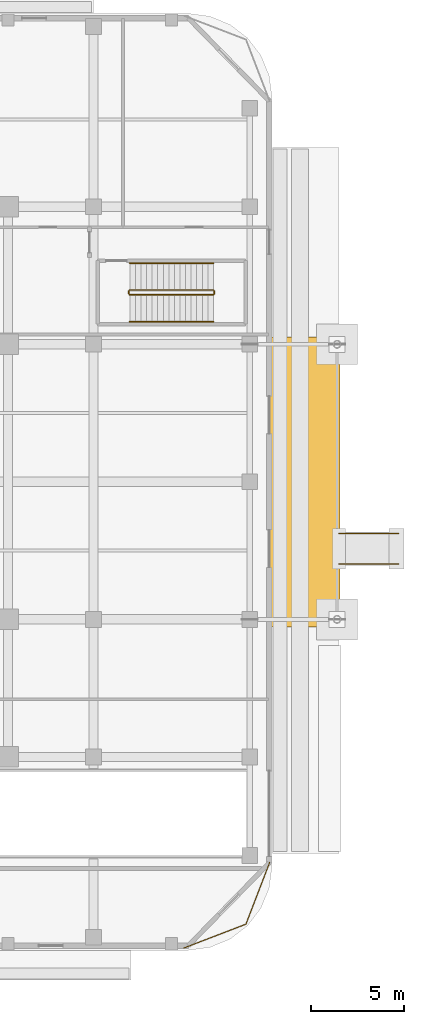
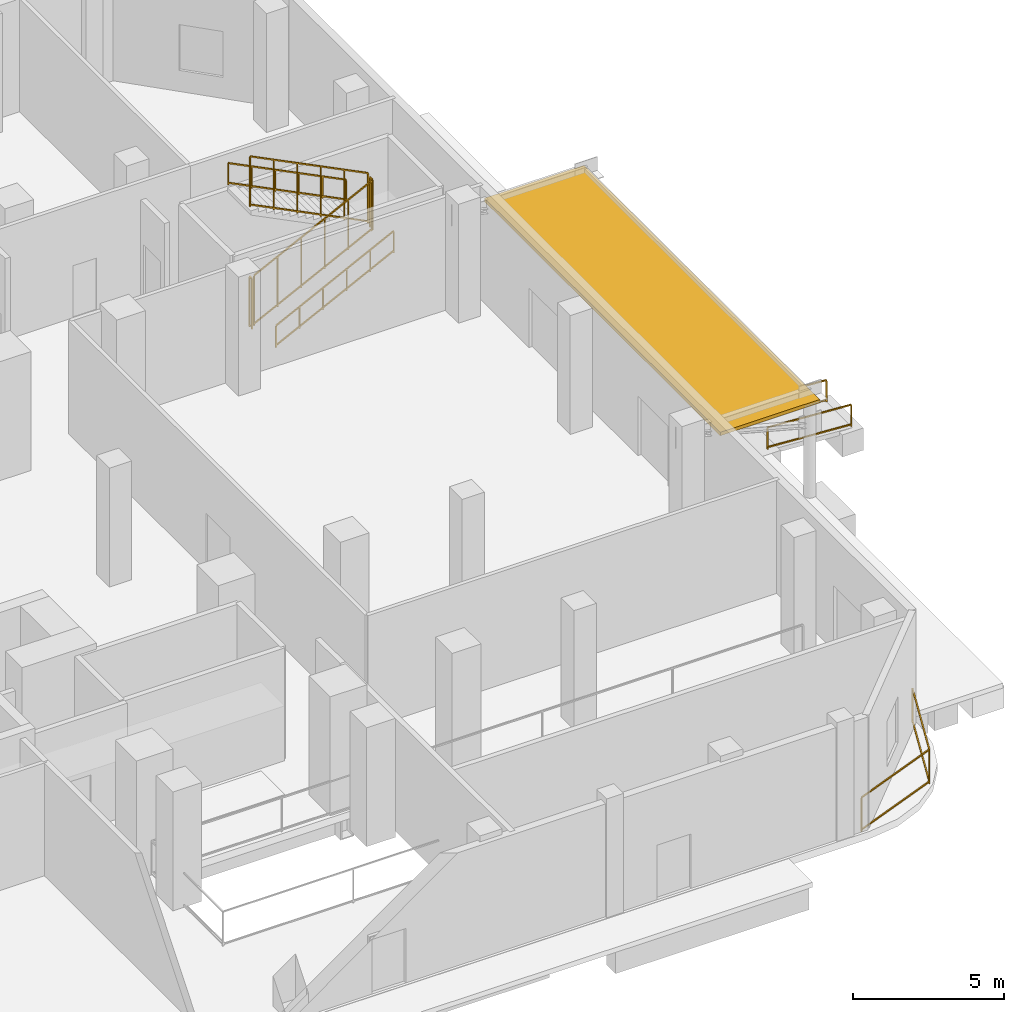
# One storey, part 22 of 24: 9 railings, 1 shading device.
"""IFC4 building model written with IfcOpenShell, lengths in metres."""

import ifcopenshell
import ifcopenshell.guid

model = None  # the IFC model being written
_history = None  # IfcOwnerHistory: only IFC2X3 demands one
_inside = {}  # id of a spatial element -> (the spatial element, [elements in it])
_under = {}  # id of a project, library or spatial element -> (it, [spatial elements below it])
_declared = {}  # id of a project -> (the project, [libraries it declares])
_typed = {}  # id of a type object -> (the type object, [elements of that type])
_made_of = {}  # id of a material, layer set ... -> (it, [elements and type objects made of it])


def new_model(schema):
    """Start an empty IFC model of exactly this schema.

    Asked for "IFC4X3", IfcOpenShell would pick the latest addendum, in which some entities
    have other attributes; the version numbers below select the first issue.
    IFC2X3 requires an IfcOwnerHistory on every rooted entity: one is made here for all.
    """
    global model, _history
    if schema == "IFC4X3":
        model = ifcopenshell.file(schema_version=(4, 3, 0, 0))
    else:
        model = ifcopenshell.file(schema=schema)
    _inside.clear()
    _under.clear()
    _declared.clear()
    _typed.clear()
    _made_of.clear()
    _history = None
    if model.schema == "IFC2X3":
        org = make("IfcOrganization", Name="unknown")
        user = make(
            "IfcPersonAndOrganization",
            ThePerson=make("IfcPerson", FamilyName="unknown"),
            TheOrganization=org,
        )
        app = make(
            "IfcApplication",
            ApplicationDeveloper=org,
            Version="unknown",
            ApplicationFullName="unknown",
            ApplicationIdentifier="unknown",
        )
        _history = make(
            "IfcOwnerHistory",
            OwningUser=user,
            OwningApplication=app,
            ChangeAction="ADDED",
            CreationDate=0,
        )
    return model


def make(cls, **values):
    """One entity of the class cls with the attributes given. An attribute that is None is left unset."""
    return model.create_entity(
        cls, **{name: value for name, value in values.items() if value is not None}
    )


def rooted(cls, **values):
    """An entity with a GlobalId (a new one), such as an element, a storey or a relation."""
    return make(cls, GlobalId=ifcopenshell.guid.new(), OwnerHistory=_history, **values)


def si_unit(unit_type, name, prefix=None):
    """IfcSIUnit, for example si_unit("LENGTHUNIT", "METRE", prefix="MILLI")."""
    return make("IfcSIUnit", UnitType=unit_type, Prefix=prefix, Name=name)


def assignment(units):
    """IfcUnitAssignment: the units of a project."""
    return None if units is None else make("IfcUnitAssignment", Units=units)


def point(xyz):
    """IfcCartesianPoint."""
    return None if xyz is None else make("IfcCartesianPoint", Coordinates=xyz)


def direction(xyz):
    """IfcDirection."""
    return None if xyz is None else make("IfcDirection", DirectionRatios=xyz)


def frame(location, z_axis=None, x_axis=None):
    """IfcAxis2Placement3D, a coordinate frame: its origin and axes. An axis left out is left unset."""
    return make(
        "IfcAxis2Placement3D",
        Location=point(location),
        Axis=direction(z_axis),
        RefDirection=direction(x_axis),
    )


def frame_2d(location, x_axis=None):
    """IfcAxis2Placement2D, a coordinate frame in the plane: its origin and x axis."""
    return make(
        "IfcAxis2Placement2D", Location=point(location), RefDirection=direction(x_axis)
    )


def origin():
    """The frame at (0, 0, 0) with its axes left unset."""
    return frame((0.0, 0.0, 0.0))


def origin_2d():
    """The frame at (0, 0) in the plane with its x axis left unset."""
    return frame_2d((0.0, 0.0))


def place(relative_to, where):
    """IfcLocalPlacement: puts the frame where relative to a parent placement (None: the world)."""
    return make(
        "IfcLocalPlacement", PlacementRelTo=relative_to, RelativePlacement=where
    )


def context(
    kind, dimensions, precision=None, world=None, true_north=None, identifier=None
):
    """IfcGeometricRepresentationContext, for example the 3D "Model" context."""
    return make(
        "IfcGeometricRepresentationContext",
        ContextIdentifier=identifier,
        ContextType=kind,
        CoordinateSpaceDimension=dimensions,
        Precision=precision,
        WorldCoordinateSystem=world,
        TrueNorth=true_north,
    )


def subcontext(parent, identifier, kind, view, scale=None):
    """IfcGeometricRepresentationSubContext, for example "Body" below "Model"."""
    return make(
        "IfcGeometricRepresentationSubContext",
        ContextIdentifier=identifier,
        ContextType=kind,
        ParentContext=parent,
        TargetScale=scale,
        TargetView=view,
    )


def project(units=None, contexts=None):
    """IfcProject with its units and contexts."""
    return rooted(
        "IfcProject",
        Name="project",
        RepresentationContexts=contexts,
        UnitsInContext=assignment(units),
    )


def spatial(cls, under=None, at=None, **own):
    """A site, building, storey or space (cls), placed at a placement, below another one or the project."""
    s = rooted(cls, ObjectPlacement=at, **own)
    if under is not None:
        _under.setdefault(under.id(), (under, []))[1].append(s)
    return s


def profile(cls, at=None, kind="AREA", **sizes):
    """A parametric profile (cls). Its sizes go by their IFC names, for example OverallWidth=200.0."""
    return make(cls, ProfileType=kind, Position=at, **sizes)


def rectangle(**sizes):
    """IfcRectangleProfileDef."""
    return profile("IfcRectangleProfileDef", **sizes)


def extrude(swept, where, along, depth):
    """IfcExtrudedAreaSolid: the profile swept, set in the frame where, extruded along a direction by depth."""
    return make(
        "IfcExtrudedAreaSolid",
        SweptArea=swept,
        Position=where,
        ExtrudedDirection=direction(along),
        Depth=depth,
    )


def shape(context_of_items, identifier, shape_type, items):
    """IfcShapeRepresentation: the items that make up one representation, for example the "Body"."""
    return make(
        "IfcShapeRepresentation",
        ContextOfItems=context_of_items,
        RepresentationIdentifier=identifier,
        RepresentationType=shape_type,
        Items=items,
    )


def material(Name=None, Category=None):
    """IfcMaterial."""
    return make("IfcMaterial", Name=Name, Category=Category)


def layer(
    of_material, thickness, ventilated=None, Name=None, Category=None, Priority=None
):
    """IfcMaterialLayer: one layer of a wall or slab, of a material (None: an air gap)."""
    return make(
        "IfcMaterialLayer",
        Material=of_material,
        LayerThickness=thickness,
        IsVentilated=ventilated,
        Name=Name,
        Category=Category,
        Priority=Priority,
    )


def layer_set(layers, Name=None):
    """IfcMaterialLayerSet."""
    return make("IfcMaterialLayerSet", MaterialLayers=layers, LayerSetName=Name)


def made_of(thing, what):
    """Note that an element or type object is made of a material, layer set ...; save() writes the relation."""
    if what is not None:
        _made_of.setdefault(what.id(), (what, []))[1].append(thing)
    return thing


def type_object(cls, material=None, **own):
    """A type object (cls), such as IfcWallType, which elements share."""
    return made_of(rooted(cls, **own), material)


def element(
    cls,
    number,
    at=None,
    inside=None,
    cuts=None,
    type_object=None,
    material=None,
    context=None,
    identifier="Body",
    shape_type=None,
    held_by="IfcProductDefinitionShape",
    body=None,
    shapes=None,
    **own,
):
    """One element of the class cls, such as IfcWall. Its Tag is "e" and its number.

    at: its placement. inside: the storey or other place that contains it. cuts: it is an
    opening in that element (IfcRelVoidsElement). A single representation is given by context,
    identifier, shape_type and body (its items); several are given by shapes. held_by: the class
    of the entity that holds the representations. save() writes the other relations.
    """
    e = rooted(cls, Tag="e%d" % number, ObjectPlacement=at, **own)
    if body is not None:
        shapes = [shape(context, identifier, shape_type, body)]
    if shapes is not None:
        e.Representation = make(held_by, Representations=shapes)
    if inside is not None:
        _inside.setdefault(inside.id(), (inside, []))[1].append(e)
    if cuts is not None:
        rooted(
            "IfcRelVoidsElement", RelatingBuildingElement=cuts, RelatedOpeningElement=e
        )
    if type_object is not None:
        _typed.setdefault(type_object.id(), (type_object, []))[1].append(e)
    return made_of(e, material)


def aggregate(whole, parts):
    """IfcRelAggregates: a whole, such as a stair, and the parts it consists of."""
    return rooted("IfcRelAggregates", RelatingObject=whole, RelatedObjects=parts)


def save(model, path):
    """Write the relations noted so far, then the file.

    IfcRelAggregates (storeys below a building ...), IfcRelContainedInSpatialStructure (elements
    in a storey), IfcRelDefinesByType, IfcRelAssociatesMaterial and IfcRelDeclares: one each for
    every whole, place, type object, material and project.
    """
    for whole, parts in _under.values():
        aggregate(whole, parts)
    for where, things in _inside.values():
        rooted(
            "IfcRelContainedInSpatialStructure",
            RelatedElements=things,
            RelatingStructure=where,
        )
    for kind, things in _typed.values():
        rooted("IfcRelDefinesByType", RelatedObjects=things, RelatingType=kind)
    for what, things in _made_of.values():
        rooted("IfcRelAssociatesMaterial", RelatedObjects=things, RelatingMaterial=what)
    for by, libraries in _declared.values():
        rooted("IfcRelDeclares", RelatingContext=by, RelatedDefinitions=libraries)
    model.write(path)


model = new_model("IFC4")

# Units and contexts
model_context = context("Model", 3, precision=1e-05, world=origin(), true_north=direction((0.0, 1.0)))
body_context = subcontext(model_context, "Body", "Model", "MODEL_VIEW")
ifc_project = project(units=[si_unit("LENGTHUNIT", "METRE"), si_unit("AREAUNIT", "SQUARE_METRE"), si_unit("VOLUMEUNIT", "CUBIC_METRE"), si_unit("PLANEANGLEUNIT", "RADIAN"), si_unit("MASSUNIT", "GRAM", prefix="KILO")], contexts=[model_context])

# Site, building, storey
site_placement = place(None, origin())
site = spatial("IfcSite", under=ifc_project, at=site_placement, CompositionType="ELEMENT")
building_placement = place(site_placement, origin())
building = spatial("IfcBuilding", under=site, at=building_placement, Name="Khorvyn Point Tower", CompositionType="ELEMENT")
storey_placement = place(building_placement, origin())
storey = spatial("IfcBuildingStorey", under=building, at=storey_placement, Name="L01", CompositionType="ELEMENT", Elevation=0.0)

# Shading device
ifc_material_1 = material(Name="Bronze anodised aluminium 6063-T6", Category="aluminium")
ifc_layer = layer(ifc_material_1, 0.139892578125)
ifc_layer_set = layer_set([ifc_layer], Name="Anodised Aluminium Horizontal Monsoon Sunshade Canopy")
shading_device_type = type_object("IfcShadingDeviceType", Name="Anodised Aluminium Horizontal Monsoon Sunshade Canopy", PredefinedType="AWNING", material=ifc_layer_set)
shading_device_placement = place(storey_placement, frame((35.35009765625, 0.0, 3.89990234375), z_axis=(0.0, 0.0, 1.0), x_axis=(1.0, 0.0, 0.0)))
element("IfcShadingDevice", 1, at=shading_device_placement, inside=storey, type_object=shading_device_type, Name="L01 Residential Entrance Monsoon Canopy", PredefinedType="AWNING", context=body_context, shape_type="SweptSolid", body=[
    extrude(rectangle(XDim=3.800048828125, YDim=15.60009765625, at=origin_2d()), origin(), (0.0, 0.0, 1.0), 0.139892578125),
])

# Railings
ifc_material_2 = material(Name="Anodised aluminium 6063-T6 and laminated safety glass", Category="aluminium")
railing_type_1 = type_object("IfcRailingType", Name="Laminated Glass and Aluminium Balcony Guardrail 1400", PredefinedType="BALUSTRADE", material=ifc_material_2)
railing_1_placement = place(storey_placement, frame((28.870849609375, -25.073974609375, 0.0)))
element("IfcRailing", 2, at=railing_1_placement, inside=storey, type_object=railing_type_1, Name="L01 Rounded Corner Edge Guardrail SE", PredefinedType="BALUSTRADE", context=body_context, shape_type="SweptSolid", body=[
    extrude(rectangle(XDim=0.048095703125, YDim=0.048095703125, at=origin_2d()), frame((0.0, 0.0, 1.3759765625), z_axis=(0.933575007025, 0.358382067435, 0.0), x_axis=(-0.358382067435, 0.933575007025, 0.0)), (0.0, 0.0, 1.0), 3.562744140625),
    extrude(rectangle(XDim=0.048095703125, YDim=0.048095703125, at=origin_2d()), frame((0.0, 0.0, 0.080078125), z_axis=(0.933575007025, 0.358382067435, 0.0), x_axis=(-0.358382067435, 0.933575007025, 0.0)), (0.0, 0.0, 1.0), 3.562744140625),
    extrude(rectangle(XDim=0.048095703125, YDim=0.048095703125, at=origin_2d()), frame((3.326171875, 1.27685546875, 1.3759765625), z_axis=(0.35841886047, 0.933560882031, 0.0), x_axis=(-0.933560882031, 0.35841886047, 0.0)), (0.0, 0.0, 1.0), 3.563232421875),
    extrude(rectangle(XDim=0.048095703125, YDim=0.048095703125, at=origin_2d()), frame((3.326171875, 1.27685546875, 0.080078125), z_axis=(0.35841886047, 0.933560882031, 0.0), x_axis=(-0.933560882031, 0.35841886047, 0.0)), (0.0, 0.0, 1.0), 3.563232421875),
    extrude(rectangle(XDim=0.0419921875, YDim=0.0419921875, at=origin_2d()), origin(), (0.0, 0.0, 1.0), 1.351806640625),
    extrude(rectangle(XDim=0.0419921875, YDim=0.0419921875, at=origin_2d()), frame((3.326171875, 1.27685546875, 0.0)), (0.0, 0.0, 1.0), 1.351806640625),
    extrude(rectangle(XDim=0.0419921875, YDim=0.0419921875, at=origin_2d()), frame((4.603271484375, 4.603271484375, 0.0)), (0.0, 0.0, 1.0), 1.351806640625),
])
ifc_material_3 = material(Name="Stainless steel 1.4301", Category="steel")
railing_type_2 = type_object("IfcRailingType", Name="Stainless Steel 304 Stair Pitch Handrail 900", PredefinedType="HANDRAIL", material=ifc_material_3)
railing_2_placement = place(storey_placement, frame((25.949951171875, 8.610107421875, 0.14990234375)))
element("IfcRailing", 3, at=railing_2_placement, inside=storey, type_object=railing_type_2, Name="L01 ST-S3 stair handrail 1", PredefinedType="HANDRAIL", context=body_context, shape_type="SweptSolid", body=[
    extrude(rectangle(XDim=0.048095703125, YDim=0.048095703125, at=origin_2d()), frame((0.0, 0.0, 0.8759765625), z_axis=(0.894427191, 0.0, 0.4472135955), x_axis=(0.0, 1.0, 0.0)), (0.0, 0.0, 1.0), 5.03125),
    extrude(rectangle(XDim=0.048095703125, YDim=0.048095703125, at=origin_2d()), frame((0.0, 0.0, 0.080078125), z_axis=(0.894427191, 0.0, 0.4472135955), x_axis=(0.0, 1.0, 0.0)), (0.0, 0.0, 1.0), 5.03125),
    extrude(rectangle(XDim=0.0419921875, YDim=0.0419921875, at=origin_2d()), origin(), (0.0, 0.0, 1.0), 0.851806640625),
    extrude(rectangle(XDim=0.0419921875, YDim=0.0419921875, at=origin_2d()), frame((0.89990234375, 0.0, 0.449951171875)), (0.0, 0.0, 1.0), 0.851806640625),
    extrude(rectangle(XDim=0.0419921875, YDim=0.0419921875, at=origin_2d()), frame((1.800048828125, 0.0, 0.89990234375)), (0.0, 0.0, 1.0), 0.851806640625),
    extrude(rectangle(XDim=0.0419921875, YDim=0.0419921875, at=origin_2d()), frame((2.699951171875, 0.0, 1.35009765625)), (0.0, 0.0, 1.0), 0.851806640625),
    extrude(rectangle(XDim=0.0419921875, YDim=0.0419921875, at=origin_2d()), frame((3.60009765625, 0.0, 1.800048828125)), (0.0, 0.0, 1.0), 0.851806640625),
    extrude(rectangle(XDim=0.0419921875, YDim=0.0419921875, at=origin_2d()), frame((4.5, 0.0, 2.25)), (0.0, 0.0, 1.0), 0.851806640625),
])
railing_3_placement = place(storey_placement, frame((30.449951171875, 11.77001953125, 2.550048828125)))
element("IfcRailing", 4, at=railing_3_placement, inside=storey, type_object=railing_type_2, Name="L01 ST-S3 stair handrail 2", PredefinedType="HANDRAIL", context=body_context, shape_type="SweptSolid", body=[
    extrude(rectangle(XDim=0.048095703125, YDim=0.048095703125, at=origin_2d()), frame((0.0, 0.0, 0.8759765625), z_axis=(-0.894427191, 0.0, 0.4472135955), x_axis=(0.0, -1.0, 0.0)), (0.0, 0.0, 1.0), 5.03125),
    extrude(rectangle(XDim=0.048095703125, YDim=0.048095703125, at=origin_2d()), frame((0.0, 0.0, 0.080078125), z_axis=(-0.894427191, 0.0, 0.4472135955), x_axis=(0.0, -1.0, 0.0)), (0.0, 0.0, 1.0), 5.03125),
    extrude(rectangle(XDim=0.0419921875, YDim=0.0419921875, at=origin_2d()), origin(), (0.0, 0.0, 1.0), 0.851806640625),
    extrude(rectangle(XDim=0.0419921875, YDim=0.0419921875, at=origin_2d()), frame((-0.89990234375, 0.0, 0.449951171875)), (0.0, 0.0, 1.0), 0.851806640625),
    extrude(rectangle(XDim=0.0419921875, YDim=0.0419921875, at=origin_2d()), frame((-1.800048828125, 0.0, 0.89990234375)), (0.0, 0.0, 1.0), 0.851806640625),
    extrude(rectangle(XDim=0.0419921875, YDim=0.0419921875, at=origin_2d()), frame((-2.699951171875, 0.0, 1.35009765625)), (0.0, 0.0, 1.0), 0.851806640625),
    extrude(rectangle(XDim=0.0419921875, YDim=0.0419921875, at=origin_2d()), frame((-3.60009765625, 0.0, 1.800048828125)), (0.0, 0.0, 1.0), 0.851806640625),
    extrude(rectangle(XDim=0.0419921875, YDim=0.0419921875, at=origin_2d()), frame((-4.5, 0.0, 2.25)), (0.0, 0.0, 1.0), 0.851806640625),
])
for number, where, name in (
    (5, (40.39990234375, -4.419921875, -0.199951171875), "L01 East Residential Lobby Step-Free Threshold Ramp Handrail S"),
    (6, (40.39990234375, -2.780029296875, -0.199951171875), "L01 East Residential Lobby Step-Free Threshold Ramp Handrail N"),
):
    element("IfcRailing", number, at=place(storey_placement, frame(where)), inside=storey, type_object=railing_type_2, Name=name, PredefinedType="HANDRAIL", context=body_context, shape_type="SweptSolid", body=[
        extrude(rectangle(XDim=0.048095703125, YDim=0.048095703125, at=origin_2d()), frame((0.0, 0.0, 0.8759765625), z_axis=(-0.998053467252, 0.0, 0.062364064216), x_axis=(0.0, -1.0, 0.0)), (0.0, 0.0, 1.0), 3.206298828125),
        extrude(rectangle(XDim=0.048095703125, YDim=0.048095703125, at=origin_2d()), frame((0.0, 0.0, 0.080078125), z_axis=(-0.998053467252, 0.0, 0.062364064216), x_axis=(0.0, -1.0, 0.0)), (0.0, 0.0, 1.0), 3.206298828125),
        extrude(rectangle(XDim=0.0419921875, YDim=0.0419921875, at=origin_2d()), origin(), (0.0, 0.0, 1.0), 0.851806640625),
        extrude(rectangle(XDim=0.0419921875, YDim=0.0419921875, at=origin_2d()), frame((-3.199951171875, 0.0, 0.199951171875)), (0.0, 0.0, 1.0), 0.851806640625),
    ])
railing_type_3 = type_object("IfcRailingType", Name="Stainless Steel 304 Stair Well Guardrail 1400", PredefinedType="GUARDRAIL", material=ifc_material_3)
railing_4_placement = place(storey_placement, frame((25.949951171875, 10.06005859375, 0.14990234375)))
element("IfcRailing", 7, at=railing_4_placement, inside=storey, type_object=railing_type_3, Name="L01 ST-S3 stair guard 1", PredefinedType="GUARDRAIL", context=body_context, shape_type="SweptSolid", body=[
    extrude(rectangle(XDim=0.048095703125, YDim=0.048095703125, at=origin_2d()), frame((0.0, 0.0, 2.02587890625), z_axis=(0.894427191, 0.0, 0.4472135955), x_axis=(0.0, 1.0, 0.0)), (0.0, 0.0, 1.0), 5.03125),
    extrude(rectangle(XDim=0.048095703125, YDim=0.048095703125, at=origin_2d()), frame((0.0, 0.0, 0.080078125), z_axis=(0.894427191, 0.0, 0.4472135955), x_axis=(0.0, 1.0, 0.0)), (0.0, 0.0, 1.0), 5.03125),
    extrude(rectangle(XDim=0.0419921875, YDim=0.0419921875, at=origin_2d()), origin(), (0.0, 0.0, 1.0), 2.001953125),
    extrude(rectangle(XDim=0.0419921875, YDim=0.0419921875, at=origin_2d()), frame((0.89990234375, 0.0, 0.449951171875)), (0.0, 0.0, 1.0), 2.001953125),
    extrude(rectangle(XDim=0.0419921875, YDim=0.0419921875, at=origin_2d()), frame((1.800048828125, 0.0, 0.89990234375)), (0.0, 0.0, 1.0), 2.001953125),
    extrude(rectangle(XDim=0.0419921875, YDim=0.0419921875, at=origin_2d()), frame((2.699951171875, 0.0, 1.35009765625)), (0.0, 0.0, 1.0), 2.001953125),
    extrude(rectangle(XDim=0.0419921875, YDim=0.0419921875, at=origin_2d()), frame((3.60009765625, 0.0, 1.800048828125)), (0.0, 0.0, 1.0), 2.001953125),
    extrude(rectangle(XDim=0.0419921875, YDim=0.0419921875, at=origin_2d()), frame((4.5, 0.0, 2.25)), (0.0, 0.0, 1.0), 2.001953125),
])
railing_5_placement = place(storey_placement, frame((30.5, 10.110107421875, 2.39990234375)))
element("IfcRailing", 8, at=railing_5_placement, inside=storey, type_object=railing_type_3, Name="L01 ST-S3 stair guard 2", PredefinedType="GUARDRAIL", context=body_context, shape_type="SweptSolid", body=[
    extrude(rectangle(XDim=0.048095703125, YDim=0.048095703125, at=origin_2d()), frame((0.0, 0.0, 2.02587890625), z_axis=(0.0, 1.0, 0.0), x_axis=(-1.0, 0.0, 0.0)), (0.0, 0.0, 1.0), 0.159912109375),
    extrude(rectangle(XDim=0.048095703125, YDim=0.048095703125, at=origin_2d()), frame((0.0, 0.0, 0.080078125), z_axis=(0.0, 1.0, 0.0), x_axis=(-1.0, 0.0, 0.0)), (0.0, 0.0, 1.0), 0.159912109375),
    extrude(rectangle(XDim=0.0419921875, YDim=0.0419921875, at=origin_2d()), origin(), (0.0, 0.0, 1.0), 2.001953125),
    extrude(rectangle(XDim=0.0419921875, YDim=0.0419921875, at=origin_2d()), frame((0.0, 0.159912109375, 0.0)), (0.0, 0.0, 1.0), 2.001953125),
])
railing_6_placement = place(storey_placement, frame((30.449951171875, 10.320068359375, 2.550048828125)))
element("IfcRailing", 9, at=railing_6_placement, inside=storey, type_object=railing_type_3, Name="L01 ST-S3 stair guard 3", PredefinedType="GUARDRAIL", context=body_context, shape_type="SweptSolid", body=[
    extrude(rectangle(XDim=0.048095703125, YDim=0.048095703125, at=origin_2d()), frame((0.0, 0.0, 2.02587890625), z_axis=(-0.894427191, 0.0, 0.4472135955), x_axis=(0.0, -1.0, 0.0)), (0.0, 0.0, 1.0), 5.03125),
    extrude(rectangle(XDim=0.048095703125, YDim=0.048095703125, at=origin_2d()), frame((0.0, 0.0, 0.080078125), z_axis=(-0.894427191, 0.0, 0.4472135955), x_axis=(0.0, -1.0, 0.0)), (0.0, 0.0, 1.0), 5.03125),
    extrude(rectangle(XDim=0.0419921875, YDim=0.0419921875, at=origin_2d()), origin(), (0.0, 0.0, 1.0), 2.001953125),
    extrude(rectangle(XDim=0.0419921875, YDim=0.0419921875, at=origin_2d()), frame((-0.89990234375, 0.0, 0.449951171875)), (0.0, 0.0, 1.0), 2.001953125),
    extrude(rectangle(XDim=0.0419921875, YDim=0.0419921875, at=origin_2d()), frame((-1.800048828125, 0.0, 0.89990234375)), (0.0, 0.0, 1.0), 2.001953125),
    extrude(rectangle(XDim=0.0419921875, YDim=0.0419921875, at=origin_2d()), frame((-2.699951171875, 0.0, 1.35009765625)), (0.0, 0.0, 1.0), 2.001953125),
    extrude(rectangle(XDim=0.0419921875, YDim=0.0419921875, at=origin_2d()), frame((-3.60009765625, 0.0, 1.800048828125)), (0.0, 0.0, 1.0), 2.001953125),
    extrude(rectangle(XDim=0.0419921875, YDim=0.0419921875, at=origin_2d()), frame((-4.5, 0.0, 2.25)), (0.0, 0.0, 1.0), 2.001953125),
])
railing_7_placement = place(storey_placement, frame((25.89990234375, 10.110107421875, 0.0)))
element("IfcRailing", 10, at=railing_7_placement, inside=storey, type_object=railing_type_3, Name="L01 ST-S3 stair guard 4", PredefinedType="GUARDRAIL", context=body_context, shape_type="SweptSolid", body=[
    extrude(rectangle(XDim=0.048095703125, YDim=0.048095703125, at=origin_2d()), frame((0.0, 0.0, 2.02587890625), z_axis=(0.0, 1.0, 0.0), x_axis=(-1.0, 0.0, 0.0)), (0.0, 0.0, 1.0), 0.159912109375),
    extrude(rectangle(XDim=0.048095703125, YDim=0.048095703125, at=origin_2d()), frame((0.0, 0.0, 0.080078125), z_axis=(0.0, 1.0, 0.0), x_axis=(-1.0, 0.0, 0.0)), (0.0, 0.0, 1.0), 0.159912109375),
    extrude(rectangle(XDim=0.0419921875, YDim=0.0419921875, at=origin_2d()), origin(), (0.0, 0.0, 1.0), 2.001953125),
    extrude(rectangle(XDim=0.0419921875, YDim=0.0419921875, at=origin_2d()), frame((0.0, 0.159912109375, 0.0)), (0.0, 0.0, 1.0), 2.001953125),
])

save(model, "model.ifc")
